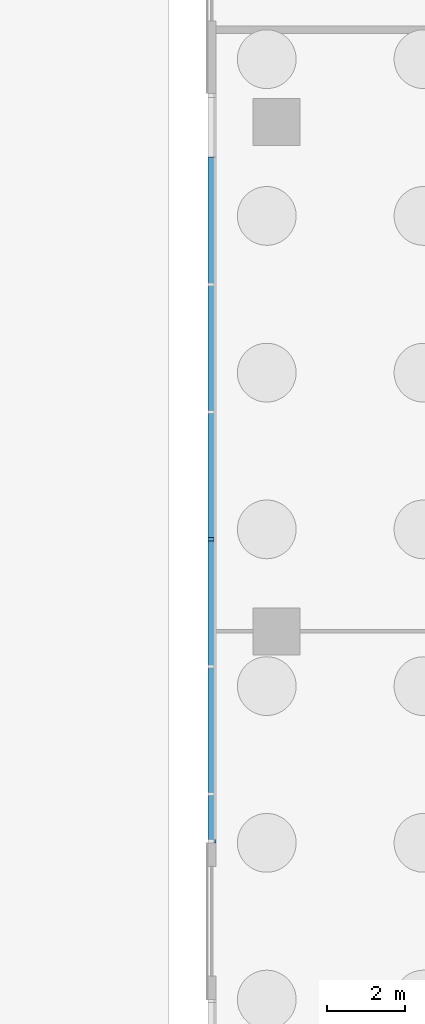
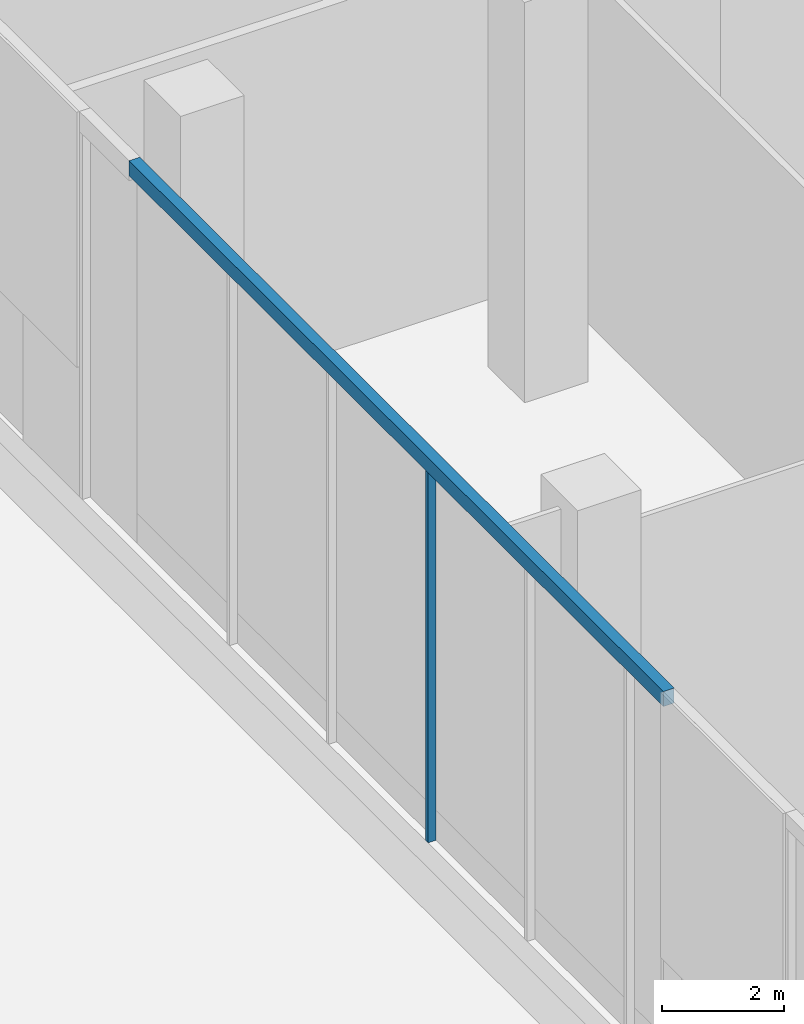
# One storey, part 4 of 27: 2 members, 1 element without a shape of its own.
"""IFC4 building model written with IfcOpenShell, lengths in metres."""

from ifc_helpers import new_model, si_unit, direction, frame, origin, origin_2d, place, context, subcontext, project, spatial, polyline, rectangle, outline, extrude, source, transform, mapped, material, layer, layer_set, material_profile, profile_set, type_object, element, aggregate, save


model = new_model("IFC4")

# Units and contexts
model_context = context("Model", 3, precision=1e-05, world=origin(), true_north=direction((0.0, 1.0)))
body_context = subcontext(model_context, "Body", "Model", "MODEL_VIEW")
ifc_project = project(units=[si_unit("LENGTHUNIT", "METRE"), si_unit("AREAUNIT", "SQUARE_METRE"), si_unit("VOLUMEUNIT", "CUBIC_METRE"), si_unit("PLANEANGLEUNIT", "RADIAN"), si_unit("MASSUNIT", "GRAM", prefix="KILO")], contexts=[model_context])

# Site, building, storey
site_placement = place(None, origin())
site = spatial("IfcSite", under=ifc_project, at=site_placement, CompositionType="ELEMENT")
building_placement = place(site_placement, origin())
building = spatial("IfcBuilding", under=site, at=building_placement, Name="Trellis Farm Tower", CompositionType="ELEMENT")
storey_placement = place(building_placement, origin())
storey = spatial("IfcBuildingStorey", under=building, at=storey_placement, Name="L00", CompositionType="ELEMENT", Elevation=0.0)

# Curtain wall, members
ifc_material_1 = material(Name="Aluminium and glass curtain wall", Category="aluminium")
ifc_layer_1 = layer(ifc_material_1, 0.201904296875)
ifc_layer_set_1 = layer_set([ifc_layer_1], Name="SHOPFRONT CURTAIN WALL CW2")
curtain_wall_type = type_object("IfcCurtainWallType", Name="SHOPFRONT CURTAIN WALL CW2", PredefinedType="NOTDEFINED", material=ifc_layer_set_1)
curtain_wall_placement = place(storey_placement, origin())
curtain_wall = element("IfcCurtainWall", 1, at=curtain_wall_placement, inside=storey, type_object=curtain_wall_type, Name="CW2 013", PredefinedType="NOTDEFINED")
ifc_material_2 = material(Name="Aluminium extrusion 6063-T6", Category="aluminium")
ifc_layer_2 = layer(ifc_material_2, 0.205078125)
ifc_layer_set_2 = layer_set([ifc_layer_2], Name="Aluminium extrusion 6063-T6")
member_type_1 = type_object("IfcMemberType", Name="CW2 TRANSOM 205x300", PredefinedType="USERDEFINED", material=ifc_layer_set_2)
member_1_placement = place(storey_placement, frame((0.0, 0.0, 7.39990234375)))
member_1 = element("IfcMember", 2, at=member_1_placement, type_object=member_type_1, Name="TR2 013", ObjectType="TRANSOM", PredefinedType="USERDEFINED", context=body_context, shape_type="SweptSolid", body=[
    extrude(outline(polyline([(-45.5, -6.5), (-45.5, -24.0), (-45.294921875, -24.0), (-45.294921875, -6.5), (-45.5, -6.5)])), origin(), (0.0, 0.0, 1.0), 0.300048828125),
])
ifc_material_profile = material_profile(ifc_material_2, rectangle(XDim=0.080078125, YDim=0.14990234375, at=origin_2d()), Name="MULLION 80x150")
ifc_profile_set = profile_set([ifc_material_profile], Name="Aluminium extrusion 6063-T6")
member_type_2 = type_object("IfcMemberType", Name="CW2 MULLION 80x150", PredefinedType="MULLION", material=ifc_profile_set)
shared_shape = source(origin(), body_context, "Body", "SweptSolid", [
    extrude(rectangle(XDim=0.080078125, YDim=0.14990234375, at=origin_2d()), origin(), (0.0, 0.0, 1.0), 7.39990234375),
])
member_2_placement = place(storey_placement, frame((-45.425048828125, -16.25, 0.0), z_axis=(0.0, 0.0, 1.0), x_axis=(0.0, -1.0, 0.0)))
member_2 = element("IfcMember", 3, at=member_2_placement, type_object=member_type_2, Name="MU2 013-03", PredefinedType="MULLION", context=body_context, shape_type="MappedRepresentation", body=[
    mapped(shared_shape, transform((0.0, 0.0, 0.0))),
])
aggregate(curtain_wall, [member_2, member_1])

save(model, "model.ifc")
